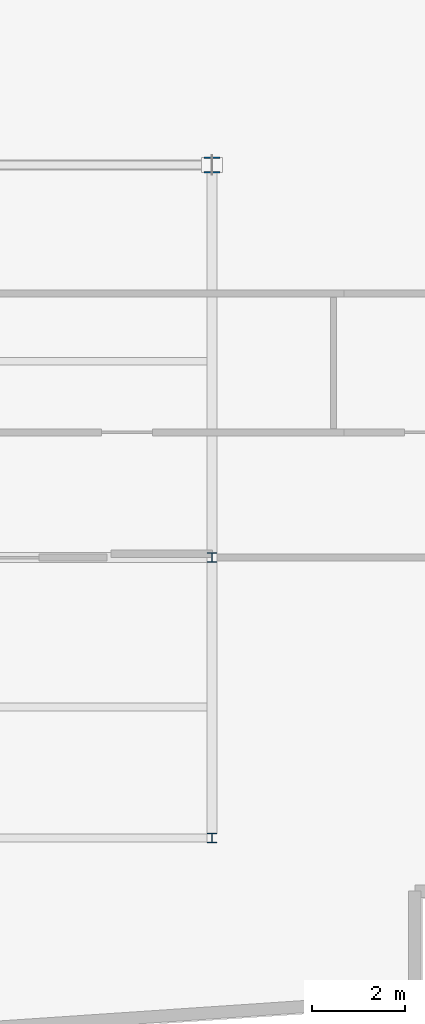
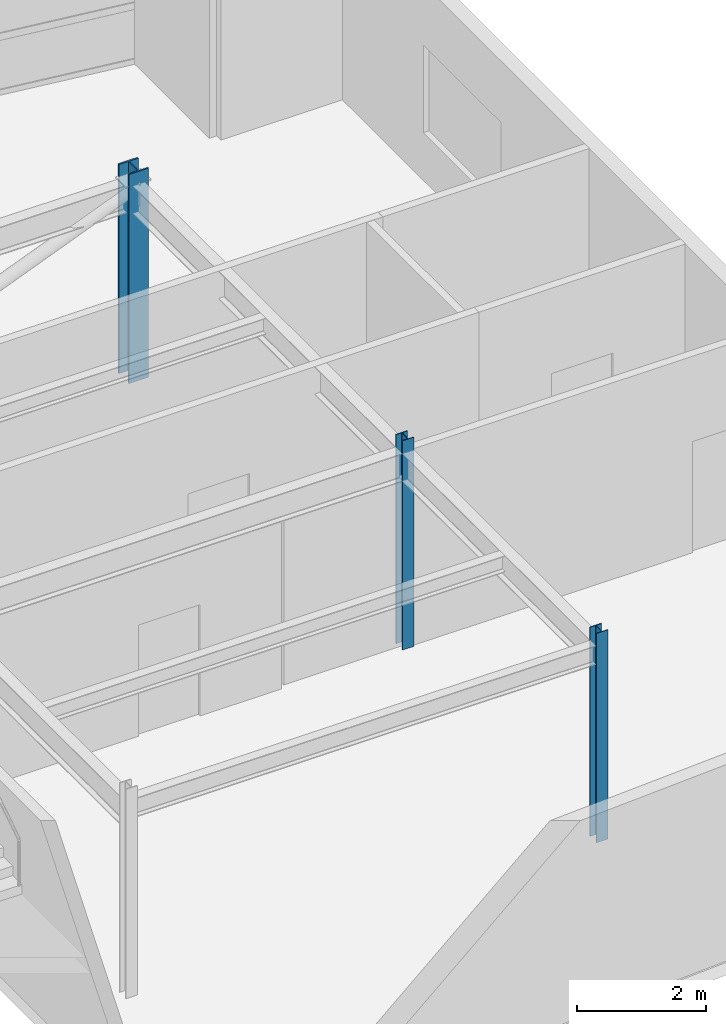
# One storey, part 3 of 16: 3 columns.
"""IFC4 building model written with IfcOpenShell, lengths in metres."""

from ifc_helpers import new_model, si_unit, direction, frame, origin, origin_2d, place, context, subcontext, project, spatial, i_section, extrude, material, material_profile, profile_set, type_object, element, save


model = new_model("IFC4")

# Units and contexts
model_context = context("Model", 3, precision=1e-05, world=origin(), true_north=direction((0.0, 1.0)))
body_context = subcontext(model_context, "Body", "Model", "MODEL_VIEW")
ifc_project = project(units=[si_unit("LENGTHUNIT", "METRE"), si_unit("AREAUNIT", "SQUARE_METRE"), si_unit("VOLUMEUNIT", "CUBIC_METRE"), si_unit("PLANEANGLEUNIT", "RADIAN"), si_unit("MASSUNIT", "GRAM", prefix="KILO")], contexts=[model_context])

# Site, building, storey
site_placement = place(None, origin())
site = spatial("IfcSite", under=ifc_project, at=site_placement, CompositionType="ELEMENT")
building_placement = place(site_placement, origin())
building = spatial("IfcBuilding", under=site, at=building_placement, Name="Varnakote Quay Hospital", CompositionType="ELEMENT")
storey_placement = place(building_placement, frame((0.0, 0.0, 288.14990234375)))
storey = spatial("IfcBuildingStorey", under=building, at=storey_placement, Name="L71", CompositionType="ELEMENT", Elevation=288.14990234375)

# Columns
ifc_material_1 = material(Name="Structural steel AS/NZS 3679.1 Grade 350 L0 (fy 340 MPa)", Category="steel")
ifc_material_profile_1 = material_profile(ifc_material_1, i_section(OverallWidth=0.205078125, OverallDepth=0.2099609375, WebThickness=0.00927734375, FlangeThickness=0.01416015625, FilletRadius=0.011474609375, at=origin_2d()), Name="200UC59.5")
ifc_profile_set_1 = profile_set([ifc_material_profile_1], Name="Structural steel AS/NZS 3679.1 Grade 350 L0 (fy 340 MPa)")
column_type_1 = type_object("IfcColumnType", Name="COL-STL-200UC59-5", PredefinedType="COLUMN", material=ifc_profile_set_1)
for number, where, z_axis, x_axis, name in (
    (1, (33.60009765625, 6.0, 0.0), (0.0, 0.0, 1.0), (1.0, 0.0, 0.0), "L71 Structural Column C-34-6"),
    (2, (33.60009765625, 12.0, 0.0), (0.0, 0.0, 1.0), (1.0, 0.0, 0.0), "L71 Structural Column C-34-12"),
):
    element("IfcColumn", number, at=place(storey_placement, frame(where, z_axis=z_axis, x_axis=x_axis)), inside=storey, type_object=column_type_1, Name=name, PredefinedType="COLUMN", context=body_context, shape_type="SweptSolid", body=[
        extrude(i_section(OverallWidth=0.205078125, OverallDepth=0.2099609375, WebThickness=0.00927734375, FlangeThickness=0.01416015625, FilletRadius=0.011474609375, at=origin_2d()), origin(), (0.0, 0.0, 1.0), 3.9501953125),
    ])
ifc_material_2 = material(Name="Structural steel AS/NZS 3678 Grade 350 (fy 340 MPa)", Category="steel")
ifc_material_profile_2 = material_profile(ifc_material_2, i_section(OverallWidth=0.35009765625, OverallDepth=0.340087890625, WebThickness=0.01611328125, FlangeThickness=0.028076171875, at=origin_2d()), Name="350WC197")
ifc_profile_set_2 = profile_set([ifc_material_profile_2], Name="Structural steel AS/NZS 3678 Grade 350 (fy 340 MPa)")
column_type_2 = type_object("IfcColumnType", Name="COL-STL-350WC197", PredefinedType="COLUMN", material=ifc_profile_set_2)
column_placement = place(storey_placement, frame((33.60009765625, 20.39990234375, 0.0), z_axis=(0.0, 0.0, 1.0), x_axis=(1.0, 0.0, 0.0)))
element("IfcColumn", 3, at=column_placement, inside=storey, type_object=column_type_2, Name="L71 Structural Column C-34-20", PredefinedType="COLUMN", context=body_context, shape_type="SweptSolid", body=[
    extrude(i_section(OverallWidth=0.35009765625, OverallDepth=0.340087890625, WebThickness=0.01611328125, FlangeThickness=0.028076171875, at=origin_2d()), origin(), (0.0, 0.0, 1.0), 3.9501953125),
])

save(model, "model.ifc")
